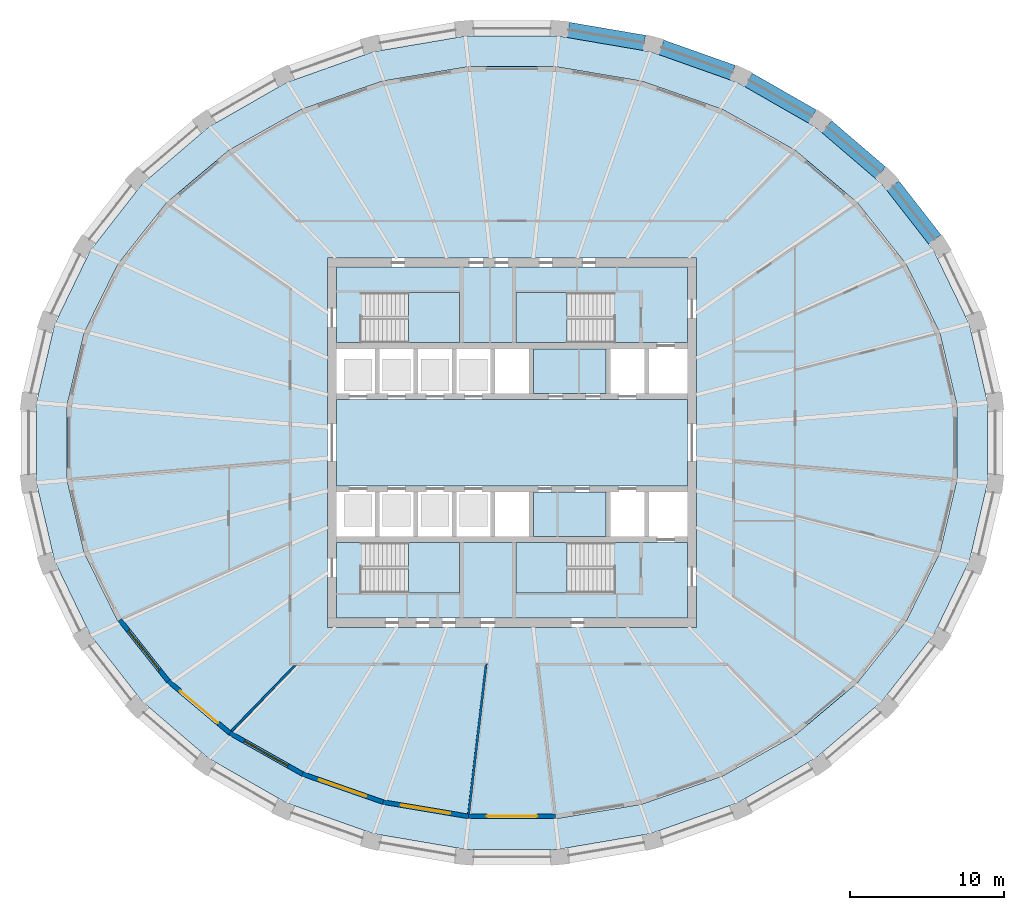
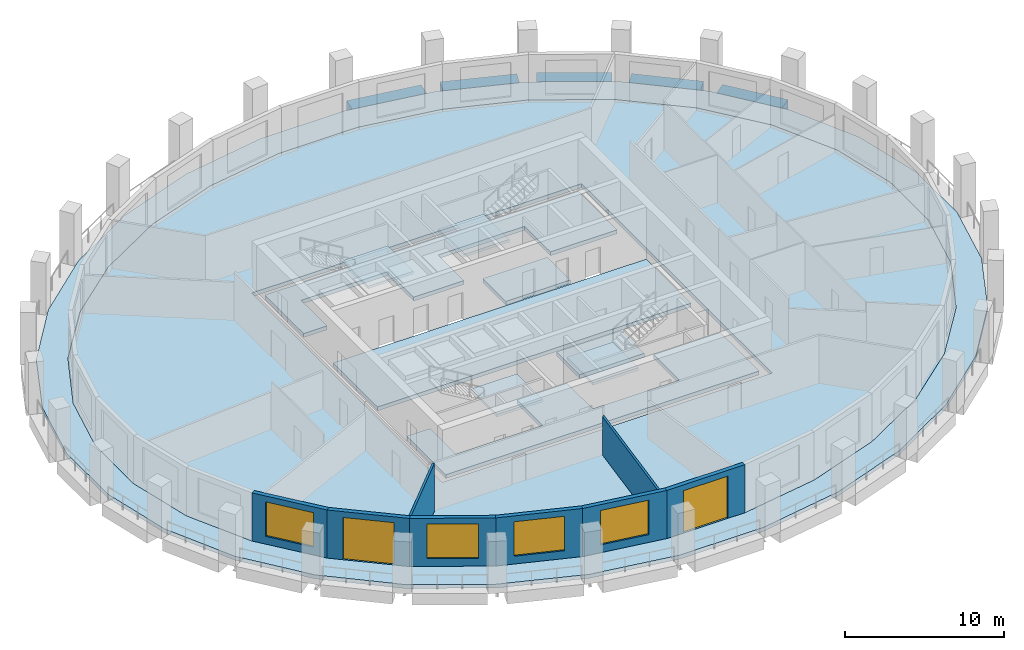
# One storey, part 2 of 11: 11 slabs, 8 walls, 5 beams, 4 windows, 2 doors, 6 openings, 4 elements without a shape of their own.
"""IFC4 building model written with IfcOpenShell, lengths in metres."""

from ifc_helpers import new_model, si_unit, direction, frame, frame_2d, origin, origin_2d, place, context, subcontext, project, spatial, polyline, rectangle, outline, extrude, material, layer, layer_set, material_profile, profile_set, type_object, element, fill, aggregate, save


model = new_model("IFC4")

# Units and contexts
model_context = context("Model", 3, precision=1e-05, world=origin(), true_north=direction((0.0, 1.0)))
body_context = subcontext(model_context, "Body", "Model", "MODEL_VIEW")
ifc_project = project(units=[si_unit("LENGTHUNIT", "METRE"), si_unit("AREAUNIT", "SQUARE_METRE"), si_unit("VOLUMEUNIT", "CUBIC_METRE"), si_unit("PLANEANGLEUNIT", "RADIAN"), si_unit("MASSUNIT", "GRAM", prefix="KILO")], contexts=[model_context])

# Site, building, storey
site_placement = place(None, origin())
site = spatial("IfcSite", under=ifc_project, at=site_placement, CompositionType="ELEMENT")
building_placement = place(site_placement, origin())
building = spatial("IfcBuilding", under=site, at=building_placement, Name="Halqa Exchange Tower", CompositionType="ELEMENT")
storey_placement = place(building_placement, frame((0.0, 0.0, 226.89990234375)))
storey = spatial("IfcBuildingStorey", under=building, at=storey_placement, Name="L52", CompositionType="ELEMENT", Elevation=226.89990234375)

# Beams
ifc_material_1 = material(Name="Concrete C60/75", Category="concrete")
ifc_material_profile = material_profile(ifc_material_1, rectangle(XDim=1.0, YDim=0.89990234375, at=origin_2d()), Name="1000 x 900")
ifc_profile_set = profile_set([ifc_material_profile], Name="Concrete C60/75")
beam_type = type_object("IfcBeamType", Name="RC spandrel beam 1000 x 900 C60/75", PredefinedType="SPANDREL", material=ifc_profile_set)
beam_1_placement = place(storey_placement, frame((27.4736328125, 13.2021484375, -0.449951171875), z_axis=(-0.61480064822, 0.788682548906, 0.0), x_axis=(-0.788682548906, -0.61480064822, 0.0)))
element("IfcBeam", 1, at=beam_1_placement, inside=storey, type_object=beam_type, Name="Spandrel 3", PredefinedType="SPANDREL", context=body_context, shape_type="SweptSolid", body=[
    extrude(rectangle(XDim=1.0, YDim=0.89990234375, at=origin_2d()), origin(), (0.0, 0.0, 1.0), 4.439697265625),
])
beam_2_placement = place(storey_placement, frame((23.954833984375, 17.530517578125, -0.449951171875), z_axis=(-0.759252865995, 0.65079573253, 0.0), x_axis=(-0.65079573253, -0.759252865995, 0.0)))
element("IfcBeam", 2, at=beam_2_placement, inside=storey, type_object=beam_type, Name="Spandrel 4", PredefinedType="SPANDREL", context=body_context, shape_type="SweptSolid", body=[
    extrude(rectangle(XDim=1.0, YDim=0.89990234375, at=origin_2d()), origin(), (0.0, 0.0, 1.0), 4.6123046875),
])
beam_3_placement = place(storey_placement, frame((19.517578125, 21.19189453125, -0.449951171875), z_axis=(-0.867742640568, 0.497013792304, 0.0), x_axis=(-0.497013792304, -0.867742640568, 0.0)))
element("IfcBeam", 3, at=beam_3_placement, inside=storey, type_object=beam_type, Name="Spandrel 5", PredefinedType="SPANDREL", context=body_context, shape_type="SweptSolid", body=[
    extrude(rectangle(XDim=1.0, YDim=0.89990234375, at=origin_2d()), origin(), (0.0, 0.0, 1.0), 4.777099609375),
])
beam_4_placement = place(storey_placement, frame((14.33349609375, 24.04345703125, -0.449951171875), z_axis=(-0.942371691237, 0.334567774234, 0.0), x_axis=(-0.334567774234, -0.942371691237, 0.0)))
element("IfcBeam", 4, at=beam_4_placement, inside=storey, type_object=beam_type, Name="Spandrel 6", PredefinedType="SPANDREL", context=body_context, shape_type="SweptSolid", body=[
    extrude(rectangle(XDim=1.0, YDim=0.89990234375, at=origin_2d()), origin(), (0.0, 0.0, 1.0), 4.916015625),
])
beam_5_placement = place(storey_placement, frame((8.59326171875, 25.97705078125, -0.449951171875), z_axis=(-0.985770147747, 0.16809882751, 0.0), x_axis=(-0.16809882751, -0.985770147747, 0.0)))
element("IfcBeam", 5, at=beam_5_placement, inside=storey, type_object=beam_type, Name="Spandrel 7", PredefinedType="SPANDREL", context=body_context, shape_type="SweptSolid", body=[
    extrude(rectangle(XDim=1.0, YDim=0.89990234375, at=origin_2d()), origin(), (0.0, 0.0, 1.0), 5.00634765625),
])

# Slabs
ifc_layer_1 = layer(ifc_material_1, 0.300048828125)
ifc_layer_set_1 = layer_set([ifc_layer_1], Name="Concrete C60/75")
slab_type_1 = type_object("IfcSlabType", Name="Core floor slab 300", PredefinedType="FLOOR", material=ifc_layer_set_1)
slab_1_placement = place(storey_placement, frame((0.0, 0.0, -0.2998046875)))
element("IfcSlab", 6, at=slab_1_placement, inside=storey, type_object=slab_type_1, Name="Core floor slab", PredefinedType="FLOOR", context=body_context, shape_type="SweptSolid", body=[
    extrude(outline(polyline([(-11.39990234375, 2.800048828125), (11.39990234375, 2.800048828125), (11.39990234375, -2.800048828125), (-11.39990234375, -2.800048828125), (-11.39990234375, 2.800048828125)])), origin(), (0.0, 0.0, 1.0), 0.2998046875),
])
slab_2_placement = place(storey_placement, frame((0.0, 0.0, -0.2998046875)))
element("IfcSlab", 7, at=slab_2_placement, inside=storey, type_object=slab_type_1, Name="Core floor slab", PredefinedType="FLOOR", context=body_context, shape_type="SweptSolid", body=[
    extrude(outline(polyline([(-11.39990234375, 11.39990234375), (11.39990234375, 11.39990234375), (11.39990234375, 6.5), (6.550048828125, 6.5), (6.550048828125, 9.75), (0.25, 9.75), (0.25, 6.5), (-3.39990234375, 6.5), (-3.39990234375, 9.75), (-9.699951171875, 9.75), (-9.699951171875, 6.5), (-11.39990234375, 6.5), (-11.39990234375, 11.39990234375)])), origin(), (0.0, 0.0, 1.0), 0.2998046875),
])
slab_3_placement = place(storey_placement, frame((0.0, 0.0, -0.2998046875)))
element("IfcSlab", 8, at=slab_3_placement, inside=storey, type_object=slab_type_1, Name="Core floor slab", PredefinedType="FLOOR", context=body_context, shape_type="SweptSolid", body=[
    extrude(outline(polyline([(-9.699951171875, -9.75), (-3.39990234375, -9.75), (-3.39990234375, -6.5), (0.25, -6.5), (0.25, -9.75), (6.550048828125, -9.75), (6.550048828125, -6.5), (11.39990234375, -6.5), (11.39990234375, -11.39990234375), (-11.39990234375, -11.39990234375), (-11.39990234375, -6.5), (-9.699951171875, -6.5), (-9.699951171875, -9.75)])), origin(), (0.0, 0.0, 1.0), 0.2998046875),
])
slab_4_placement = place(storey_placement, frame((0.0, 0.0, -0.2998046875)))
element("IfcSlab", 9, at=slab_4_placement, inside=storey, type_object=slab_type_1, Name="Core floor slab", PredefinedType="FLOOR", context=body_context, shape_type="SweptSolid", body=[
    extrude(outline(polyline([(6.10009765625, -3.199951171875), (6.10009765625, -6.10009765625), (1.39990234375, -6.10009765625), (1.39990234375, -3.199951171875), (6.10009765625, -3.199951171875)])), origin(), (0.0, 0.0, 1.0), 0.2998046875),
])
slab_5_placement = place(storey_placement, frame((0.0, 0.0, -0.2998046875)))
element("IfcSlab", 10, at=slab_5_placement, inside=storey, type_object=slab_type_1, Name="Core floor slab", PredefinedType="FLOOR", context=body_context, shape_type="SweptSolid", body=[
    extrude(outline(polyline([(6.10009765625, 6.10009765625), (6.10009765625, 3.199951171875), (1.39990234375, 3.199951171875), (1.39990234375, 6.10009765625), (6.10009765625, 6.10009765625)])), origin(), (0.0, 0.0, 1.0), 0.2998046875),
])
ifc_material_2 = material(Name="Concrete C40/50", Category="concrete")
ifc_layer_2 = layer(ifc_material_2, 0.300048828125)
ifc_layer_set_2 = layer_set([ifc_layer_2], Name="Concrete C40/50")
slab_type_2 = type_object("IfcSlabType", Name="RC floor slab 300", PredefinedType="FLOOR", material=ifc_layer_set_2)
slab_6_placement = place(storey_placement, frame((0.0, 0.0, -0.2998046875)))
element("IfcSlab", 11, at=slab_6_placement, inside=storey, type_object=slab_type_2, Name="Floor slab", PredefinedType="FLOOR", context=body_context, shape_type="SweptSolid", body=[
    extrude(outline(polyline([(28.9140625, 2.411376953125), (27.798583984375, 7.139892578125), (25.612548828125, 11.590087890625), (22.4423828125, 15.5908203125), (18.412353515625, 18.9892578125), (13.677978515625, 21.65673828125), (8.421142578125, 23.49267578125), (2.84326171875, 24.428466796875), (-2.84326171875, 24.428466796875), (-8.421142578125, 23.49267578125), (-13.677978515625, 21.65673828125), (-18.412353515625, 18.9892578125), (-22.4423828125, 15.5908203125), (-25.612548828125, 11.590087890625), (-27.798583984375, 7.139892578125), (-28.9140625, 2.411376953125), (-28.9140625, -2.411376953125), (-27.798583984375, -7.139892578125), (-25.612548828125, -11.590087890625), (-22.4423828125, -15.5908203125), (-18.412353515625, -18.9892578125), (-13.677978515625, -21.65673828125), (-8.421142578125, -23.49267578125), (-2.84326171875, -24.428466796875), (2.84326171875, -24.428466796875), (8.421142578125, -23.49267578125), (13.677978515625, -21.65673828125), (18.412353515625, -18.9892578125), (22.4423828125, -15.5908203125), (25.612548828125, -11.590087890625), (27.798583984375, -7.139892578125), (28.9140625, -2.411376953125), (28.9140625, 2.411376953125)]), holes=[polyline([(-12.0, -12.0), (12.0, -12.0), (12.0, 12.0), (-12.0, 12.0), (-12.0, -12.0)])]), origin(), (0.0, 0.0, 1.0), 0.2998046875),
])
ifc_layer_3 = layer(ifc_material_2, 0.300048828125)
ifc_layer_set_3 = layer_set([ifc_layer_3], Name="Concrete C40/50")
slab_type_3 = type_object("IfcSlabType", Name="RC loggia slab 300", PredefinedType="FLOOR", material=ifc_layer_set_3)
slab_7_placement = place(storey_placement, frame((0.0, 0.0, -0.2998046875)))
element("IfcSlab", 12, at=slab_7_placement, inside=storey, type_object=slab_type_3, Name="Loggia slab", PredefinedType="FLOOR", context=body_context, shape_type="SweptSolid", body=[
    extrude(outline(polyline([(30.900634765625, 2.593505859375), (30.900634765625, -2.593505859375), (29.719482421875, -7.68359375), (27.39990234375, -12.4833984375), (24.027099609375, -16.810302734375), (19.727294921875, -20.49560546875), (14.664306640625, -23.3955078125), (9.03271484375, -25.39501953125), (3.05029296875, -26.414794921875), (-3.05029296875, -26.414794921875), (-9.03271484375, -25.39501953125), (-14.664306640625, -23.3955078125), (-19.727294921875, -20.49560546875), (-24.027099609375, -16.810302734375), (-27.39990234375, -12.4833984375), (-29.719482421875, -7.68359375), (-30.900634765625, -2.593505859375), (-30.900634765625, 2.593505859375), (-29.719482421875, 7.68359375), (-27.39990234375, 12.4833984375), (-24.027099609375, 16.810302734375), (-19.727294921875, 20.49560546875), (-14.664306640625, 23.3955078125), (-9.03271484375, 25.39501953125), (-3.05029296875, 26.414794921875), (3.05029296875, 26.414794921875), (9.03271484375, 25.39501953125), (14.664306640625, 23.3955078125), (19.727294921875, 20.49560546875), (24.027099609375, 16.810302734375), (27.39990234375, 12.4833984375), (29.719482421875, 7.68359375), (30.900634765625, 2.593505859375)]), holes=[polyline([(28.9140625, 2.411376953125), (27.798583984375, 7.139892578125), (25.612548828125, 11.590087890625), (22.4423828125, 15.5908203125), (18.412353515625, 18.9892578125), (13.677978515625, 21.65673828125), (8.421142578125, 23.49267578125), (2.84326171875, 24.428466796875), (-2.84326171875, 24.428466796875), (-8.421142578125, 23.49267578125), (-13.677978515625, 21.65673828125), (-18.412353515625, 18.9892578125), (-22.4423828125, 15.5908203125), (-25.612548828125, 11.590087890625), (-27.798583984375, 7.139892578125), (-28.9140625, 2.411376953125), (-28.9140625, -2.411376953125), (-27.798583984375, -7.139892578125), (-25.612548828125, -11.590087890625), (-22.4423828125, -15.5908203125), (-18.412353515625, -18.9892578125), (-13.677978515625, -21.65673828125), (-8.421142578125, -23.49267578125), (-2.84326171875, -24.428466796875), (2.84326171875, -24.428466796875), (8.421142578125, -23.49267578125), (13.677978515625, -21.65673828125), (18.412353515625, -18.9892578125), (22.4423828125, -15.5908203125), (25.612548828125, -11.590087890625), (27.798583984375, -7.139892578125), (28.9140625, -2.411376953125), (28.9140625, 2.411376953125)])]), origin(), (0.0, 0.0, 1.0), 0.2998046875),
])

# Stair, slab
ifc_material_3 = material(Name="Concrete C30/37", Category="concrete")
stair_type = type_object("IfcStairType", Name="Exit stair 1500 wide", PredefinedType="HALF_TURN_STAIR", material=ifc_material_3)
stair_1_placement = place(storey_placement, origin())
stair_1 = element("IfcStair", 13, at=stair_1_placement, inside=storey, type_object=stair_type, Name="Exit stair ST1", PredefinedType="HALF_TURN_STAIR")
ifc_layer_4 = layer(ifc_material_3, 0.199951171875)
ifc_layer_set_4 = layer_set([ifc_layer_4], Name="Concrete C30/37")
slab_type_4 = type_object("IfcSlabType", Name="Stair landing 200 slab", PredefinedType="LANDING", material=ifc_layer_set_4)
slab_8_placement = place(storey_placement, frame((0.0, 0.0, 1.800048828125)))
slab_8 = element("IfcSlab", 14, at=slab_8_placement, type_object=slab_type_4, Name="ST1 landing 1", PredefinedType="LANDING", context=body_context, shape_type="SweptSolid", body=[
    extrude(outline(polyline([(-6.719970703125, 6.5), (-3.39990234375, 6.5), (-3.39990234375, 9.75), (-6.719970703125, 9.75), (-6.719970703125, 6.5)])), origin(), (0.0, 0.0, 1.0), 0.199951171875),
])
aggregate(stair_1, [slab_8])

stair_2_placement = place(storey_placement, origin())
stair_2 = element("IfcStair", 15, at=stair_2_placement, inside=storey, type_object=stair_type, Name="Exit stair ST2", PredefinedType="HALF_TURN_STAIR")
slab_9_placement = place(storey_placement, frame((0.0, 0.0, 1.800048828125)))
slab_9 = element("IfcSlab", 16, at=slab_9_placement, type_object=slab_type_4, Name="ST2 landing 1", PredefinedType="LANDING", context=body_context, shape_type="SweptSolid", body=[
    extrude(outline(polyline([(0.25, 6.5), (3.570068359375, 6.5), (3.570068359375, 9.75), (0.25, 9.75), (0.25, 6.5)])), origin(), (0.0, 0.0, 1.0), 0.199951171875),
])
aggregate(stair_2, [slab_9])

stair_3_placement = place(storey_placement, origin())
stair_3 = element("IfcStair", 17, at=stair_3_placement, inside=storey, type_object=stair_type, Name="Exit stair ST3", PredefinedType="HALF_TURN_STAIR")
slab_10_placement = place(storey_placement, frame((0.0, 0.0, 1.800048828125)))
slab_10 = element("IfcSlab", 18, at=slab_10_placement, type_object=slab_type_4, Name="ST3 landing 1", PredefinedType="LANDING", context=body_context, shape_type="SweptSolid", body=[
    extrude(outline(polyline([(-6.719970703125, -9.75), (-3.39990234375, -9.75), (-3.39990234375, -6.5), (-6.719970703125, -6.5), (-6.719970703125, -9.75)])), origin(), (0.0, 0.0, 1.0), 0.199951171875),
])
aggregate(stair_3, [slab_10])

stair_4_placement = place(storey_placement, origin())
stair_4 = element("IfcStair", 19, at=stair_4_placement, inside=storey, type_object=stair_type, Name="Exit stair ST4", PredefinedType="HALF_TURN_STAIR")
slab_11_placement = place(storey_placement, frame((0.0, 0.0, 1.800048828125)))
slab_11 = element("IfcSlab", 20, at=slab_11_placement, type_object=slab_type_4, Name="ST4 landing 1", PredefinedType="LANDING", context=body_context, shape_type="SweptSolid", body=[
    extrude(outline(polyline([(0.25, -9.75), (3.570068359375, -9.75), (3.570068359375, -6.5), (0.25, -6.5), (0.25, -9.75)])), origin(), (0.0, 0.0, 1.0), 0.199951171875),
])
aggregate(stair_4, [slab_11])

# Walls
ifc_material_4 = material(Name="Fire-rated gypsum board")
ifc_layer_5 = layer(ifc_material_4, 0.14990234375)
ifc_layer_set_5 = layer_set([ifc_layer_5], Name="Fire-rated gypsum board")
wall_type_1 = type_object("IfcWallType", Name="Fire partition EI 60 150", PredefinedType="PARTITIONING", material=ifc_layer_set_5)
wall_1_placement = place(storey_placement, frame((-14.0322265625, -14.4228515625, 0.0), z_axis=(0.0, 0.0, 1.0), x_axis=(-0.697618878337, -0.716469050684, 0.0)))
element("IfcWall", 21, at=wall_1_placement, inside=storey, type_object=wall_type_1, Name="L52-PWL-008", PredefinedType="PARTITIONING", context=body_context, shape_type="SweptSolid", body=[
    extrude(outline(polyline([(0.0, 0.074951171875), (0.0, 0.07470703125), (0.02197265625, 0.05224609375), (0.01123046875, 0.041748046875), (0.124755859375, -0.074951171875), (2.08642578125, -0.074951171875), (4.0478515625, -0.074951171875), (6.009521484375, -0.074951171875), (6.009521484375, 0.074951171875), (4.507080078125, 0.074951171875), (3.0048828125, 0.074951171875), (1.50244140625, 0.074951171875), (0.0, 0.074951171875)])), origin(), (0.0, 0.0, 1.0), 3.7001953125),
])
wall_2_placement = place(storey_placement, frame((-2.814453125, -24.125, 0.0), z_axis=(0.0, 0.0, 1.0), x_axis=(0.115875821394, 0.993263708195, 0.0)))
element("IfcWall", 22, at=wall_2_placement, inside=storey, type_object=wall_type_1, Name="L52-PWL-011", PredefinedType="PARTITIONING", context=body_context, shape_type="SweptSolid", body=[
    extrude(outline(polyline([(9.875, -0.074951171875), (9.875, -0.07470703125), (9.791015625, 0.0), (9.706787109375, 0.074951171875), (7.765380859375, 0.074951171875), (5.82421875, 0.074951171875), (3.8828125, 0.074951171875), (1.94140625, 0.074951171875), (0.0, 0.074951171875), (0.0, -0.029296875), (0.00537109375, -0.074951171875), (1.979248046875, -0.074951171875), (3.953125, -0.074951171875), (5.92724609375, -0.074951171875), (7.901123046875, -0.074951171875), (9.875, -0.074951171875)])), origin(), (0.0, 0.0, 1.0), 2.947021484375),
])

# Wall, opening, window
ifc_material_5 = material(Name="Limestone cladding", Category="masonry")
ifc_layer_6 = layer(ifc_material_5, 0.0400390625)
ifc_material_6 = material(Name="Ventilated cavity")
ifc_layer_7 = layer(ifc_material_6, 0.030029296875, ventilated=True)
ifc_material_7 = material(Name="Mineral wool insulation")
ifc_layer_8 = layer(ifc_material_7, 0.10009765625)
ifc_layer_9 = layer(ifc_material_3, 0.10009765625)
ifc_material_8 = material(Name="Internal plaster")
ifc_layer_10 = layer(ifc_material_8, 0.030029296875)
ifc_layer_set_6 = layer_set([ifc_layer_6, ifc_layer_7, ifc_layer_8, ifc_layer_9, ifc_layer_10], Name="Stone-faced insulated wall 300")
wall_type_2 = type_object("IfcWallType", Name="Stone-faced insulated wall 300", PredefinedType="STANDARD", material=ifc_layer_set_6)
wall_3_placement = place(storey_placement, frame((-25.485107421875, -11.509765625, 0.0), z_axis=(0.0, 0.0, 1.0), x_axis=(0.621084984443, -0.783743224596, 0.0)))
wall_3 = element("IfcWall", 23, at=wall_3_placement, inside=storey, type_object=wall_type_2, Name="Glass-line wall 19", PredefinedType="STANDARD", context=body_context, shape_type="SweptSolid", body=[
    extrude(outline(polyline([(-0.01611328125, -0.14990234375), (5.08837890625, -0.14990234375), (5.05810546875, 0.14990234375), (0.01611328125, 0.14990234375), (-0.01611328125, -0.14990234375)])), origin(), (0.0, 0.0, 1.0), 3.7001953125),
])
opening_1_placement = place(wall_3_placement, frame((0.91162109375, 0.0, 0.60009765625)))
opening_1 = element("IfcOpeningElement", 24, at=opening_1_placement, cuts=wall_3, Name="Opening W-F3-19", PredefinedType="OPENING", context=body_context, shape_type="SweptSolid", body=[
    extrude(rectangle(XDim=3.25, YDim=2.64990234375, at=frame_2d((1.625, 1.324951171875))), frame((0.0, 0.162109375, 0.0), z_axis=(0.0, -1.0, 0.0), x_axis=(1.0, 0.0, 0.0)), (0.0, 0.0, 1.0), 0.323974609375),
])
ifc_material_9 = material(Name="Clear low-emissivity glass in aluminium frame", Category="aluminium")
window_type = type_object("IfcWindowType", Name="Fixed clear glazed window 3250 x 2650", PartitioningType="TRIPLE_PANEL_VERTICAL", PredefinedType="WINDOW", material=ifc_material_9)
window_1_placement = place(opening_1_placement, origin())
window_1 = element("IfcWindow", 25, at=window_1_placement, inside=storey, type_object=window_type, Name="Window 3", OverallHeight=2.64990234375, OverallWidth=3.25, PartitioningType="TRIPLE_PANEL_VERTICAL", PredefinedType="WINDOW", context=body_context, shape_type="SweptSolid", body=[
    extrude(rectangle(XDim=3.25, YDim=2.64990234375, at=frame_2d((1.625, 1.324951171875))), frame((0.0, 0.030029296875, 0.0), z_axis=(0.0, -1.0, 0.0), x_axis=(1.0, 0.0, 0.0)), (0.0, 0.0, 1.0), 0.06005859375),
])
fill(opening_1, window_1)

# Wall, opening, door
wall_4_placement = place(storey_placement, frame((-22.334228515625, -15.48583984375, 0.0), z_axis=(0.0, 0.0, 1.0), x_axis=(0.764475071601, -0.644653290459, 0.0)))
wall_4 = element("IfcWall", 26, at=wall_4_placement, inside=storey, type_object=wall_type_2, Name="Glass-line wall 20", PredefinedType="STANDARD", context=body_context, shape_type="SweptSolid", body=[
    extrude(outline(polyline([(-0.01513671875, -0.14990234375), (5.2568359375, -0.14990234375), (5.228515625, 0.14990234375), (0.01513671875, 0.14990234375), (-0.01513671875, -0.14990234375)])), origin(), (0.0, 0.0, 1.0), 3.7001953125),
])
opening_2_placement = place(wall_4_placement, frame((0.996337890625, 0.0, 0.0)))
opening_2 = element("IfcOpeningElement", 27, at=opening_2_placement, cuts=wall_4, Name="Opening LG-F3-05", PredefinedType="OPENING", context=body_context, shape_type="SweptSolid", body=[
    extrude(rectangle(XDim=3.25, YDim=3.25, at=frame_2d((1.625, 1.625))), frame((0.0, 0.162109375, 0.0), z_axis=(0.0, -1.0, 0.0), x_axis=(1.0, 0.0, 0.0)), (0.0, 0.0, 1.0), 0.323974609375),
])
door_type = type_object("IfcDoorType", Name="Glazed sliding loggia door 3250 x 3250", OperationType="DOUBLE_DOOR_SLIDING", PredefinedType="DOOR", material=ifc_material_9)
door_1_placement = place(opening_2_placement, origin())
door_1 = element("IfcDoor", 28, at=door_1_placement, inside=storey, type_object=door_type, Name="Loggia door 5", OperationType="DOUBLE_DOOR_SLIDING", OverallHeight=3.25, OverallWidth=3.25, PredefinedType="DOOR", context=body_context, shape_type="SweptSolid", body=[
    extrude(rectangle(XDim=3.25, YDim=3.25, at=frame_2d((1.625, 1.625))), frame((0.0, 0.02490234375, 0.0), z_axis=(0.0, -1.0, 0.0), x_axis=(1.0, 0.0, 0.0)), (0.0, 0.0, 1.0), 0.050048828125),
])
fill(opening_2, door_1)

# Wall, opening, window
wall_5_placement = place(storey_placement, frame((-18.326416015625, -18.865478515625, 0.0), z_axis=(0.0, 0.0, 1.0), x_axis=(0.871225596594, -0.490882837181, 0.0)))
wall_5 = element("IfcWall", 29, at=wall_5_placement, inside=storey, type_object=wall_type_2, Name="Glass-line wall 21", PredefinedType="STANDARD", context=body_context, shape_type="SweptSolid", body=[
    extrude(outline(polyline([(-0.01416015625, -0.14990234375), (5.420166015625, -0.14990234375), (5.393310546875, 0.14990234375), (0.01416015625, 0.14990234375), (-0.01416015625, -0.14990234375)])), origin(), (0.0, 0.0, 1.0), 3.7001953125),
])
opening_3_placement = place(wall_5_placement, frame((1.078369140625, 0.0, 0.60009765625)))
opening_3 = element("IfcOpeningElement", 30, at=opening_3_placement, cuts=wall_5, Name="Opening W-F3-21", PredefinedType="OPENING", context=body_context, shape_type="SweptSolid", body=[
    extrude(rectangle(XDim=3.25, YDim=2.64990234375, at=frame_2d((1.625, 1.324951171875))), frame((0.0, 0.162109375, 0.0), z_axis=(0.0, -1.0, 0.0), x_axis=(1.0, 0.0, 0.0)), (0.0, 0.0, 1.0), 0.323974609375),
])
window_2_placement = place(opening_3_placement, origin())
window_2 = element("IfcWindow", 31, at=window_2_placement, inside=storey, type_object=window_type, Name="Window 3", OverallHeight=2.64990234375, OverallWidth=3.25, PartitioningType="TRIPLE_PANEL_VERTICAL", PredefinedType="WINDOW", context=body_context, shape_type="SweptSolid", body=[
    extrude(rectangle(XDim=3.25, YDim=2.64990234375, at=frame_2d((1.625, 1.324951171875))), frame((0.0, 0.030029296875, 0.0), z_axis=(0.0, -1.0, 0.0), x_axis=(1.0, 0.0, 0.0)), (0.0, 0.0, 1.0), 0.06005859375),
])
fill(opening_3, window_2)

wall_6_placement = place(storey_placement, frame((-13.615966796875, -21.51953125, 0.0), z_axis=(0.0, 0.0, 1.0), x_axis=(0.944075859918, -0.329728328659, 0.0)))
wall_6 = element("IfcWall", 32, at=wall_6_placement, inside=storey, type_object=wall_type_2, Name="Glass-line wall 22", PredefinedType="STANDARD", context=body_context, shape_type="SweptSolid", body=[
    extrude(outline(polyline([(-0.013427734375, -0.14990234375), (5.554931640625, -0.14990234375), (5.529541015625, 0.14990234375), (0.013427734375, 0.14990234375), (-0.013427734375, -0.14990234375)])), origin(), (0.0, 0.0, 1.0), 3.7001953125),
])
opening_4_placement = place(wall_6_placement, frame((1.14599609375, 0.0, 0.60009765625)))
opening_4 = element("IfcOpeningElement", 33, at=opening_4_placement, cuts=wall_6, Name="Opening W-F3-22", PredefinedType="OPENING", context=body_context, shape_type="SweptSolid", body=[
    extrude(rectangle(XDim=3.25, YDim=2.64990234375, at=frame_2d((1.625, 1.324951171875))), frame((0.0, 0.162109375, 0.0), z_axis=(0.0, -1.0, 0.0), x_axis=(1.0, 0.0, 0.0)), (0.0, 0.0, 1.0), 0.323974609375),
])
window_3_placement = place(opening_4_placement, origin())
window_3 = element("IfcWindow", 34, at=window_3_placement, inside=storey, type_object=window_type, Name="Window 3", OverallHeight=2.64990234375, OverallWidth=3.25, PartitioningType="TRIPLE_PANEL_VERTICAL", PredefinedType="WINDOW", context=body_context, shape_type="SweptSolid", body=[
    extrude(rectangle(XDim=3.25, YDim=2.64990234375, at=frame_2d((1.625, 1.324951171875))), frame((0.0, 0.030029296875, 0.0), z_axis=(0.0, -1.0, 0.0), x_axis=(1.0, 0.0, 0.0)), (0.0, 0.0, 1.0), 0.06005859375),
])
fill(opening_4, window_3)

wall_7_placement = place(storey_placement, frame((-8.3837890625, -23.346923828125, 0.0), z_axis=(0.0, 0.0, 1.0), x_axis=(0.986223472554, -0.165418445715, 0.0)))
wall_7 = element("IfcWall", 35, at=wall_7_placement, inside=storey, type_object=wall_type_2, Name="Glass-line wall 23", PredefinedType="STANDARD", context=body_context, shape_type="SweptSolid", body=[
    extrude(outline(polyline([(-0.0126953125, -0.14990234375), (5.64306640625, -0.14990234375), (5.6181640625, 0.14990234375), (0.0126953125, 0.14990234375), (-0.0126953125, -0.14990234375)])), origin(), (0.0, 0.0, 1.0), 3.7001953125),
])
opening_5_placement = place(wall_7_placement, frame((1.190185546875, 0.0, 0.60009765625)))
opening_5 = element("IfcOpeningElement", 36, at=opening_5_placement, cuts=wall_7, Name="Opening W-F3-23", PredefinedType="OPENING", context=body_context, shape_type="SweptSolid", body=[
    extrude(rectangle(XDim=3.25, YDim=2.64990234375, at=frame_2d((1.625, 1.324951171875))), frame((0.0, 0.162109375, 0.0), z_axis=(0.0, -1.0, 0.0), x_axis=(1.0, 0.0, 0.0)), (0.0, 0.0, 1.0), 0.323974609375),
])
window_4_placement = place(opening_5_placement, origin())
window_4 = element("IfcWindow", 37, at=window_4_placement, inside=storey, type_object=window_type, Name="Window 3", OverallHeight=2.64990234375, OverallWidth=3.25, PartitioningType="TRIPLE_PANEL_VERTICAL", PredefinedType="WINDOW", context=body_context, shape_type="SweptSolid", body=[
    extrude(rectangle(XDim=3.25, YDim=2.64990234375, at=frame_2d((1.625, 1.324951171875))), frame((0.0, 0.030029296875, 0.0), z_axis=(0.0, -1.0, 0.0), x_axis=(1.0, 0.0, 0.0)), (0.0, 0.0, 1.0), 0.06005859375),
])
fill(opening_5, window_4)

# Wall, opening, door
wall_8_placement = place(storey_placement, frame((-2.830810546875, -24.2783203125, 0.0), z_axis=(0.0, 0.0, 1.0), x_axis=(1.0, 0.0, 0.0)))
wall_8 = element("IfcWall", 38, at=wall_8_placement, inside=storey, type_object=wall_type_2, Name="Glass-line wall 24", PredefinedType="STANDARD", context=body_context, shape_type="SweptSolid", body=[
    extrude(outline(polyline([(-0.012451171875, -0.14990234375), (5.674072265625, -0.14990234375), (5.649169921875, 0.14990234375), (0.012451171875, 0.14990234375), (-0.012451171875, -0.14990234375)])), origin(), (0.0, 0.0, 1.0), 3.7001953125),
])
opening_6_placement = place(wall_8_placement, frame((1.205810546875, 0.0, 0.0)))
opening_6 = element("IfcOpeningElement", 39, at=opening_6_placement, cuts=wall_8, Name="Opening LG-F3-06", PredefinedType="OPENING", context=body_context, shape_type="SweptSolid", body=[
    extrude(rectangle(XDim=3.25, YDim=3.25, at=frame_2d((1.625, 1.625))), frame((0.0, 0.162109375, 0.0), z_axis=(0.0, -1.0, 0.0), x_axis=(1.0, 0.0, 0.0)), (0.0, 0.0, 1.0), 0.323974609375),
])
door_2_placement = place(opening_6_placement, origin())
door_2 = element("IfcDoor", 40, at=door_2_placement, inside=storey, type_object=door_type, Name="Loggia door 6", OperationType="DOUBLE_DOOR_SLIDING", OverallHeight=3.25, OverallWidth=3.25, PredefinedType="DOOR", context=body_context, shape_type="SweptSolid", body=[
    extrude(rectangle(XDim=3.25, YDim=3.25, at=frame_2d((1.625, 1.625))), frame((0.0, 0.02490234375, 0.0), z_axis=(0.0, -1.0, 0.0), x_axis=(1.0, 0.0, 0.0)), (0.0, 0.0, 1.0), 0.050048828125),
])
fill(opening_6, door_2)

save(model, "model.ifc")
